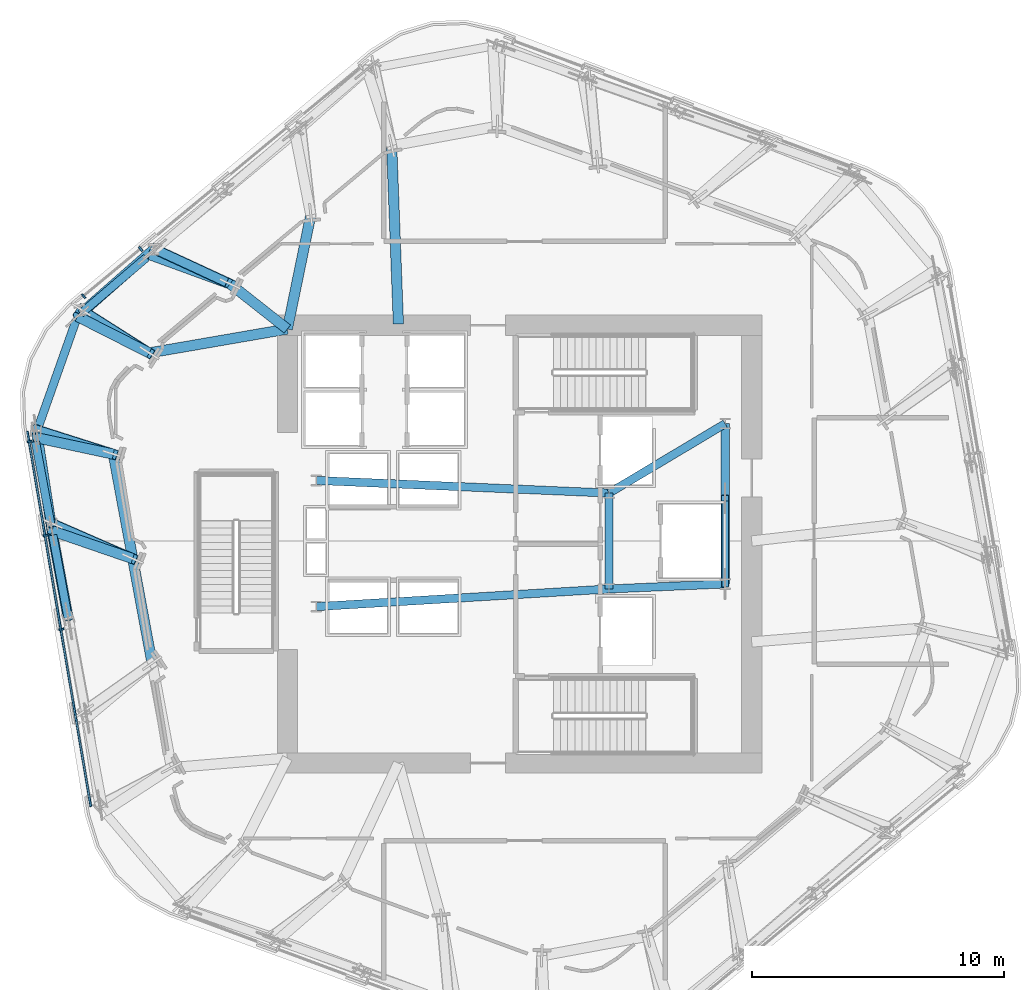
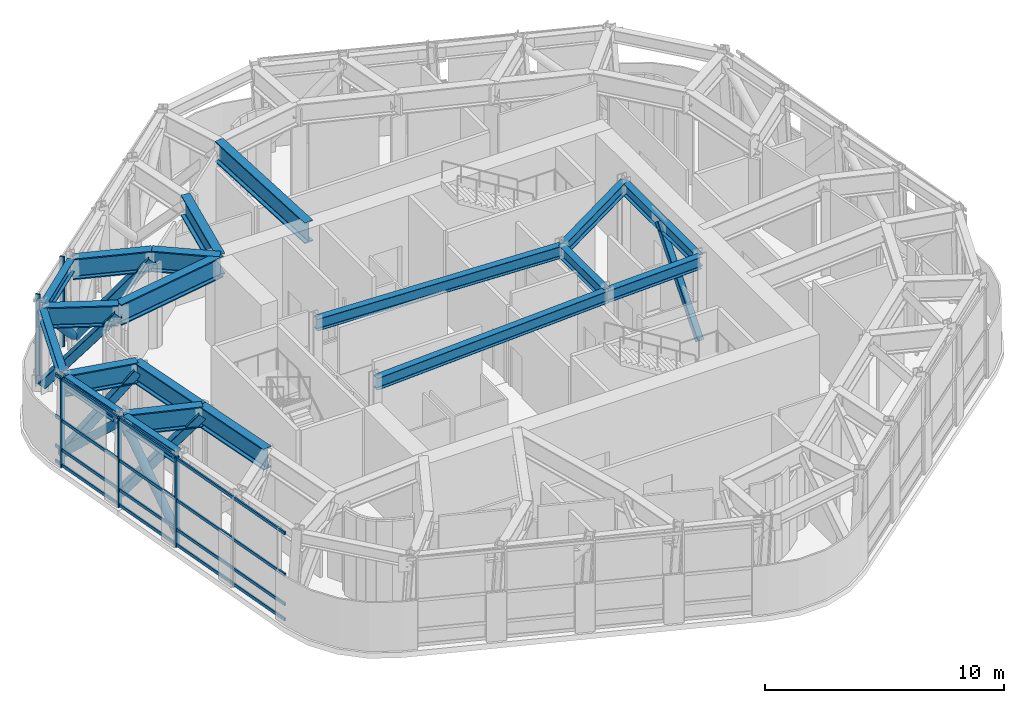
# One storey, part 4 of 16: 20 beams, 17 members, 2 elements without a shape of their own.
"""IFC4 building model written with IfcOpenShell, lengths in metres."""

from ifc_helpers import new_model, si_unit, direction, frame, origin, origin_2d, place, context, subcontext, project, spatial, rectangle, hollow_rectangle, hollow_circle, i_section, extrude, material, layer, layer_set, material_profile, profile_set, type_object, element, aggregate, save


model = new_model("IFC4")

# Units and contexts
model_context = context("Model", 3, precision=1e-05, world=origin(), true_north=direction((0.0, 1.0)))
body_context = subcontext(model_context, "Body", "Model", "MODEL_VIEW")
ifc_project = project(units=[si_unit("LENGTHUNIT", "METRE"), si_unit("AREAUNIT", "SQUARE_METRE"), si_unit("VOLUMEUNIT", "CUBIC_METRE"), si_unit("PLANEANGLEUNIT", "RADIAN"), si_unit("MASSUNIT", "GRAM", prefix="KILO")], contexts=[model_context])

# Site, building, storey
site_placement = place(None, origin())
site = spatial("IfcSite", under=ifc_project, at=site_placement, CompositionType="ELEMENT")
building_placement = place(site_placement, origin())
building = spatial("IfcBuilding", under=site, at=building_placement, Name="Valkerne Bourse Tower", CompositionType="ELEMENT")
storey_placement = place(building_placement, frame((0.0, 0.0, 193.199951171875)))
storey = spatial("IfcBuildingStorey", under=building, at=storey_placement, Name="L49", CompositionType="ELEMENT", Elevation=193.199951171875)

# Beams
ifc_material_1 = material(Name="Steel ASTM A992", Category="steel")
ifc_material_profile_1 = material_profile(ifc_material_1, i_section(OverallWidth=0.3251953125, OverallDepth=0.612060546875, WebThickness=0.0126953125, FlangeThickness=0.01904296875, FilletRadius=0.020263671875, at=origin_2d()), Name="W24X104")
ifc_profile_set_1 = profile_set([ifc_material_profile_1], Name="Steel ASTM A992")
beam_type_1 = type_object("IfcBeamType", Name="BM-W24X104", PredefinedType="BEAM", material=ifc_profile_set_1)
beam_1_placement = place(storey_placement, frame((50.35009765625, 25.10009765625, 4.2939453125), z_axis=(0.0, 1.0, 0.0), x_axis=(-1.0, 0.0, 0.0)))
element("IfcBeam", 1, at=beam_1_placement, inside=storey, type_object=beam_type_1, Name="L49 Core Frame Girder CG-CE", PredefinedType="BEAM", context=body_context, shape_type="SweptSolid", body=[
    extrude(i_section(OverallWidth=0.3251953125, OverallDepth=0.612060546875, WebThickness=0.0126953125, FlangeThickness=0.01904296875, FilletRadius=0.020263671875, at=origin_2d()), origin(), (0.0, 0.0, 1.0), 3.7998046875),
])
beam_2_placement = place(storey_placement, frame((50.35009765625, 25.10009765625, 4.2939453125), z_axis=(0.999056558506, 0.043428019819, 0.0), x_axis=(-0.043428019819, 0.999056558506, 0.0)))
element("IfcBeam", 2, at=beam_2_placement, inside=storey, type_object=beam_type_1, Name="L49 Core Frame Girder CG-SE", PredefinedType="BEAM", context=body_context, shape_type="SweptSolid", body=[
    extrude(i_section(OverallWidth=0.3251953125, OverallDepth=0.612060546875, WebThickness=0.0126953125, FlangeThickness=0.01904296875, FilletRadius=0.020263671875, at=origin_2d()), origin(), (0.0, 0.0, 1.0), 4.604248046875),
])
beam_3_placement = place(storey_placement, frame((50.35009765625, 28.89990234375, 4.2939453125), z_axis=(0.858307823492, 0.513135148019, 0.0), x_axis=(-0.513135148019, 0.858307823492, 0.0)))
element("IfcBeam", 3, at=beam_3_placement, inside=storey, type_object=beam_type_1, Name="L49 Core Frame Girder CG-NE", PredefinedType="BEAM", context=body_context, shape_type="SweptSolid", body=[
    extrude(i_section(OverallWidth=0.3251953125, OverallDepth=0.612060546875, WebThickness=0.0126953125, FlangeThickness=0.01904296875, FilletRadius=0.020263671875, at=origin_2d()), origin(), (0.0, 0.0, 1.0), 5.359130859375),
])
beam_4_placement = place(storey_placement, frame((54.949951171875, 25.300048828125, 4.2939453125), z_axis=(0.0, 1.0, 0.0), x_axis=(-1.0, 0.0, 0.0)))
element("IfcBeam", 4, at=beam_4_placement, inside=storey, type_object=beam_type_1, Name="L49 Core Frame Girder CG-EE", PredefinedType="BEAM", context=body_context, shape_type="SweptSolid", body=[
    extrude(i_section(OverallWidth=0.3251953125, OverallDepth=0.612060546875, WebThickness=0.0126953125, FlangeThickness=0.01904296875, FilletRadius=0.020263671875, at=origin_2d()), origin(), (0.0, 0.0, 1.0), 6.349853515625),
])
beam_5_placement = place(storey_placement, frame((38.75, 24.39990234375, 4.2939453125), z_axis=(0.998183228389, 0.060251494276, 0.0), x_axis=(-0.060251494276, 0.998183228389, 0.0)))
element("IfcBeam", 5, at=beam_5_placement, inside=storey, type_object=beam_type_1, Name="L49 Core Frame Girder CG-SW", PredefinedType="BEAM", context=body_context, shape_type="SweptSolid", body=[
    extrude(i_section(OverallWidth=0.3251953125, OverallDepth=0.612060546875, WebThickness=0.0126953125, FlangeThickness=0.01904296875, FilletRadius=0.020263671875, at=origin_2d()), origin(), (0.0, 0.0, 1.0), 11.62109375),
])
beam_6_placement = place(storey_placement, frame((38.75, 29.39990234375, 4.2939453125), z_axis=(0.999072354402, -0.043063101019, 0.0), x_axis=(0.043063101019, 0.999072354402, 0.0)))
element("IfcBeam", 6, at=beam_6_placement, inside=storey, type_object=beam_type_1, Name="L49 Core Frame Girder CG-NW", PredefinedType="BEAM", context=body_context, shape_type="SweptSolid", body=[
    extrude(i_section(OverallWidth=0.3251953125, OverallDepth=0.612060546875, WebThickness=0.0126953125, FlangeThickness=0.01904296875, FilletRadius=0.020263671875, at=origin_2d()), origin(), (0.0, 0.0, 1.0), 11.61083984375),
])
ifc_material_profile_2 = material_profile(ifc_material_1, i_section(OverallWidth=0.32763671875, OverallDepth=0.62744140625, WebThickness=0.0166015625, FlangeThickness=0.027587890625, FilletRadius=0.020263671875, at=origin_2d()), Name="W24X146")
ifc_profile_set_2 = profile_set([ifc_material_profile_2], Name="Steel ASTM A992")
beam_type_2 = type_object("IfcBeamType", Name="BM-W24X146", PredefinedType="SPANDREL", material=ifc_profile_set_2)
beam_7_placement = place(storey_placement, frame((32.02001953125, 38.23681640625, 4.286376953125), z_axis=(-0.760395641243, -0.649460136405, 0.0), x_axis=(0.649460136405, -0.760395641243, 0.0)))
element("IfcBeam", 7, at=beam_7_placement, inside=storey, type_object=beam_type_2, Name="L49 Hexagonal Spandrel Ring Beam 08", PredefinedType="SPANDREL", context=body_context, shape_type="SweptSolid", body=[
    extrude(i_section(OverallWidth=0.32763671875, OverallDepth=0.62744140625, WebThickness=0.0166015625, FlangeThickness=0.027587890625, FilletRadius=0.020263671875, at=origin_2d()), origin(), (0.0, 0.0, 1.0), 3.430908203125),
])
beam_8_placement = place(storey_placement, frame((29.22509765625, 35.73779296875, 4.286376953125), z_axis=(-0.333803284256, -0.942642757051, 0.0), x_axis=(0.942642757051, -0.333803284256, 0.0)))
element("IfcBeam", 8, at=beam_8_placement, inside=storey, type_object=beam_type_2, Name="L49 Hexagonal Spandrel Ring Beam 09", PredefinedType="SPANDREL", context=body_context, shape_type="SweptSolid", body=[
    extrude(i_section(OverallWidth=0.32763671875, OverallDepth=0.62744140625, WebThickness=0.0166015625, FlangeThickness=0.027587890625, FilletRadius=0.020263671875, at=origin_2d()), origin(), (0.0, 0.0, 1.0), 4.740234375),
])
for number, where, z_axis, x_axis, name in (
    (9, (27.6171875, 30.942138671875, 4.286376953125), (0.182234498882, -0.983255097834, 0.0), (0.983255097834, 0.182234498882, 0.0), "L49 Hexagonal Spandrel Ring Beam 10"),
    (10, (28.304443359375, 27.234375, 4.286376953125), (0.182234498882, -0.983255097834, 0.0), (0.983255097834, 0.182234498882, 0.0), "L49 Hexagonal Spandrel Ring Beam 11"),
):
    element("IfcBeam", number, at=place(storey_placement, frame(where, z_axis=z_axis, x_axis=x_axis)), inside=storey, type_object=beam_type_2, Name=name, PredefinedType="SPANDREL", context=body_context, shape_type="SweptSolid", body=[
        extrude(i_section(OverallWidth=0.32763671875, OverallDepth=0.62744140625, WebThickness=0.0166015625, FlangeThickness=0.027587890625, FilletRadius=0.020263671875, at=origin_2d()), origin(), (0.0, 0.0, 1.0), 3.430908203125),
    ])
ifc_material_2 = material(Name="Steel ASTM A913 Grade 65", Category="steel")
ifc_material_profile_3 = material_profile(ifc_material_2, i_section(OverallWidth=0.408935546875, OverallDepth=1.06689453125, WebThickness=0.031005859375, FlangeThickness=0.055908203125, FilletRadius=0.030517578125, at=origin_2d()), Name="W40X397")
ifc_profile_set_3 = profile_set([ifc_material_profile_3], Name="Steel ASTM A913 Grade 65")
beam_type_3 = type_object("IfcBeamType", Name="BM-W40X397", PredefinedType="BEAM", material=ifc_profile_set_3)
beam_9_placement = place(storey_placement, frame((41.7333984375, 42.660400390625, 4.066650390625), z_axis=(0.037733749739, -0.999287828471, 0.0), x_axis=(0.999287828471, 0.037733749739, 0.0)))
element("IfcBeam", 11, at=beam_9_placement, inside=storey, type_object=beam_type_3, Name="L49 Radial Setback Transfer Girder In 04", PredefinedType="BEAM", context=body_context, shape_type="SweptSolid", body=[
    extrude(i_section(OverallWidth=0.408935546875, OverallDepth=1.06689453125, WebThickness=0.031005859375, FlangeThickness=0.055908203125, FilletRadius=0.030517578125, at=origin_2d()), origin(), (0.0, 0.0, 1.0), 7.0654296875),
])
beam_10_placement = place(storey_placement, frame((38.530517578125, 39.925048828125, 4.066650390625), z_axis=(-0.201397935054, -0.9795095057, 0.0), x_axis=(0.9795095057, -0.201397935054, 0.0)))
element("IfcBeam", 12, at=beam_10_placement, inside=storey, type_object=beam_type_3, Name="L49 Radial Setback Transfer Girder In 05", PredefinedType="BEAM", context=body_context, shape_type="SweptSolid", body=[
    extrude(i_section(OverallWidth=0.408935546875, OverallDepth=1.06689453125, WebThickness=0.031005859375, FlangeThickness=0.055908203125, FilletRadius=0.030517578125, at=origin_2d()), origin(), (0.0, 0.0, 1.0), 4.619873046875),
])
beam_11_placement = place(storey_placement, frame((32.1494140625, 38.34716796875, 4.066650390625), z_axis=(0.939612070222, -0.342241373146, 0.0), x_axis=(0.342241373146, 0.939612070222, 0.0)))
element("IfcBeam", 13, at=beam_11_placement, inside=storey, type_object=beam_type_3, Name="L49 Radial Setback Transfer Girder Out 06", PredefinedType="BEAM", context=body_context, shape_type="SweptSolid", body=[
    extrude(i_section(OverallWidth=0.408935546875, OverallDepth=1.06689453125, WebThickness=0.031005859375, FlangeThickness=0.055908203125, FilletRadius=0.030517578125, at=origin_2d()), origin(), (0.0, 0.0, 1.0), 3.3828125),
])
beam_12_placement = place(storey_placement, frame((35.327880859375, 37.189453125, 4.066650390625), z_axis=(0.785606055002, -0.618727020862, 0.0), x_axis=(0.618727020862, 0.785606055002, 0.0)))
element("IfcBeam", 14, at=beam_12_placement, inside=storey, type_object=beam_type_3, Name="L49 Radial Setback Transfer Girder In 06", PredefinedType="BEAM", context=body_context, shape_type="SweptSolid", body=[
    extrude(i_section(OverallWidth=0.408935546875, OverallDepth=1.06689453125, WebThickness=0.031005859375, FlangeThickness=0.055908203125, FilletRadius=0.030517578125, at=origin_2d()), origin(), (0.0, 0.0, 1.0), 2.892333984375),
])
beam_13_placement = place(storey_placement, frame((29.281982421875, 35.898193359375, 4.066650390625), z_axis=(0.891576414628, -0.452870287035, 0.0), x_axis=(0.452870287035, 0.891576414628, 0.0)))
element("IfcBeam", 15, at=beam_13_placement, inside=storey, type_object=beam_type_3, Name="L49 Radial Setback Transfer Girder Out 07", PredefinedType="BEAM", context=body_context, shape_type="SweptSolid", body=[
    extrude(i_section(OverallWidth=0.408935546875, OverallDepth=1.06689453125, WebThickness=0.031005859375, FlangeThickness=0.055908203125, FilletRadius=0.030517578125, at=origin_2d()), origin(), (0.0, 0.0, 1.0), 3.188720703125),
])
beam_14_placement = place(storey_placement, frame((32.125, 34.4541015625, 4.066650390625), z_axis=(0.985405265959, 0.170224739157, 0.0), x_axis=(-0.170224739157, 0.985405265959, 0.0)))
element("IfcBeam", 16, at=beam_14_placement, inside=storey, type_object=beam_type_3, Name="L49 Radial Setback Transfer Girder In 07", PredefinedType="BEAM", context=body_context, shape_type="SweptSolid", body=[
    extrude(i_section(OverallWidth=0.408935546875, OverallDepth=1.06689453125, WebThickness=0.031005859375, FlangeThickness=0.055908203125, FilletRadius=0.030517578125, at=origin_2d()), origin(), (0.0, 0.0, 1.0), 5.55615234375),
])
beam_15_placement = place(storey_placement, frame((27.586181640625, 31.109375, 4.066650390625), z_axis=(0.977878540193, -0.209173517993, 0.0), x_axis=(0.209173517993, 0.977878540193, 0.0)))
element("IfcBeam", 17, at=beam_15_placement, inside=storey, type_object=beam_type_3, Name="L49 Radial Setback Transfer Girder Out 08", PredefinedType="BEAM", context=body_context, shape_type="SweptSolid", body=[
    extrude(i_section(OverallWidth=0.408935546875, OverallDepth=1.06689453125, WebThickness=0.031005859375, FlangeThickness=0.055908203125, FilletRadius=0.030517578125, at=origin_2d()), origin(), (0.0, 0.0, 1.0), 3.188720703125),
])
beam_16_placement = place(storey_placement, frame((30.704345703125, 30.4423828125, 4.066650390625), z_axis=(0.182240780933, -0.983253933511, 0.0), x_axis=(0.983253933511, 0.182240780933, 0.0)))
element("IfcBeam", 18, at=beam_16_placement, inside=storey, type_object=beam_type_3, Name="L49 Setback Ring Transfer Girder 08", PredefinedType="BEAM", context=body_context, shape_type="SweptSolid", body=[
    extrude(i_section(OverallWidth=0.408935546875, OverallDepth=1.06689453125, WebThickness=0.031005859375, FlangeThickness=0.055908203125, FilletRadius=0.030517578125, at=origin_2d()), origin(), (0.0, 0.0, 1.0), 4.2119140625),
])
beam_17_placement = place(storey_placement, frame((28.2734375, 27.401611328125, 4.066650390625), z_axis=(0.945586011084, -0.325372241658, 0.0), x_axis=(0.325372241658, 0.945586011084, 0.0)))
element("IfcBeam", 19, at=beam_17_placement, inside=storey, type_object=beam_type_3, Name="L49 Radial Setback Transfer Girder Out 09", PredefinedType="BEAM", context=body_context, shape_type="SweptSolid", body=[
    extrude(i_section(OverallWidth=0.408935546875, OverallDepth=1.06689453125, WebThickness=0.031005859375, FlangeThickness=0.055908203125, FilletRadius=0.030517578125, at=origin_2d()), origin(), (0.0, 0.0, 1.0), 3.382568359375),
])
beam_18_placement = place(storey_placement, frame((31.471923828125, 26.301025390625, 4.066650390625), z_axis=(0.182230394893, -0.98325585845, 0.0), x_axis=(0.98325585845, 0.182230394893, 0.0)))
element("IfcBeam", 20, at=beam_18_placement, inside=storey, type_object=beam_type_3, Name="L49 Setback Ring Transfer Girder 09", PredefinedType="BEAM", context=body_context, shape_type="SweptSolid", body=[
    extrude(i_section(OverallWidth=0.408935546875, OverallDepth=1.06689453125, WebThickness=0.031005859375, FlangeThickness=0.055908203125, FilletRadius=0.030517578125, at=origin_2d()), origin(), (0.0, 0.0, 1.0), 4.212158203125),
])

# Curtain wall, members
ifc_material_3 = material(Name="Aluminium AA 6063-T6", Category="aluminium")
ifc_layer = layer(ifc_material_3, 0.25)
ifc_layer_set = layer_set([ifc_layer], Name="Aluminium AA 6063-T6")
curtain_wall_type = type_object("IfcCurtainWallType", Name="CW-06", PredefinedType="NOTDEFINED", material=ifc_layer_set)
curtain_wall_1_placement = place(storey_placement, origin())
curtain_wall_1 = element("IfcCurtainWall", 21, at=curtain_wall_1_placement, inside=storey, type_object=curtain_wall_type, Name="L49 Hexagonal Stick Curtain Wall Face 2", PredefinedType="NOTDEFINED")
ifc_material_profile_4 = material_profile(ifc_material_3, rectangle(XDim=0.074951171875, YDim=0.199951171875, at=origin_2d()), Name="CWM-75X200")
ifc_profile_set_4 = profile_set([ifc_material_profile_4], Name="Aluminium AA 6063-T6")
member_type_1 = type_object("IfcMemberType", Name="CW-MUL-220X75", PredefinedType="MULLION", material=ifc_profile_set_4)
member_1_placement = place(storey_placement, frame((31.789306640625, 38.570068359375, 0.0), z_axis=(0.0, 0.0, 1.0), x_axis=(-0.770503001355, -0.637436369297, 0.0)))
member_1 = element("IfcMember", 22, at=member_1_placement, type_object=member_type_1, Name="CW-L49-F2 Jamb Mullion 03A", PredefinedType="MULLION", context=body_context, shape_type="SweptSolid", body=[
    extrude(rectangle(XDim=0.074951171875, YDim=0.199951171875, at=origin_2d()), origin(), (0.0, 0.0, 1.0), 4.60009765625),
])
member_2_placement = place(storey_placement, frame((29.53076171875, 36.701904296875, 0.0), z_axis=(0.0, 0.0, 1.0), x_axis=(-0.770503001355, -0.637436369297, 0.0)))
member_2 = element("IfcMember", 23, at=member_2_placement, type_object=member_type_1, Name="CW-L49-F2 Jamb Mullion 03B", PredefinedType="MULLION", context=body_context, shape_type="SweptSolid", body=[
    extrude(rectangle(XDim=0.074951171875, YDim=0.199951171875, at=origin_2d()), origin(), (0.0, 0.0, 1.0), 4.60009765625),
])
aggregate(curtain_wall_1, [member_1, member_2])

curtain_wall_2_placement = place(storey_placement, origin())
curtain_wall_2 = element("IfcCurtainWall", 24, at=curtain_wall_2_placement, inside=storey, type_object=curtain_wall_type, Name="L49 Hexagonal Stick Curtain Wall Face 3", PredefinedType="NOTDEFINED")
member_3_placement = place(storey_placement, frame((27.387939453125, 30.93994140625, 0.0), z_axis=(0.0, 0.0, 1.0), x_axis=(0.166772238259, -0.985995446514, 0.0)))
member_3 = element("IfcMember", 25, at=member_3_placement, type_object=member_type_1, Name="CW-L49-F3 Jamb Mullion 00A", PredefinedType="MULLION", context=body_context, shape_type="SweptSolid", body=[
    extrude(rectangle(XDim=0.074951171875, YDim=0.199951171875, at=origin_2d()), origin(), (0.0, 0.0, 1.0), 4.60009765625),
])
member_4_placement = place(storey_placement, frame((28.016845703125, 27.2216796875, 0.0), z_axis=(0.0, 0.0, 1.0), x_axis=(0.166746457546, -0.985999806742, 0.0)))
member_4 = element("IfcMember", 26, at=member_4_placement, type_object=member_type_1, Name="CW-L49-F3 Jamb Mullion 01A", PredefinedType="MULLION", context=body_context, shape_type="SweptSolid", body=[
    extrude(rectangle(XDim=0.074951171875, YDim=0.199951171875, at=origin_2d()), origin(), (0.0, 0.0, 1.0), 4.60009765625),
])
member_5_placement = place(storey_placement, frame((28.6455078125, 23.50341796875, 0.0), z_axis=(0.0, 0.0, 1.0), x_axis=(0.166772238259, -0.985995446514, 0.0)))
member_5 = element("IfcMember", 27, at=member_5_placement, type_object=member_type_1, Name="CW-L49-F3 Jamb Mullion 02A", PredefinedType="MULLION", context=body_context, shape_type="SweptSolid", body=[
    extrude(rectangle(XDim=0.074951171875, YDim=0.199951171875, at=origin_2d()), origin(), (0.0, 0.0, 1.0), 4.60009765625),
])
ifc_material_profile_5 = material_profile(ifc_material_3, rectangle(XDim=0.074951171875, YDim=0.14990234375, at=origin_2d()), Name="CWT-75X150")
ifc_profile_set_5 = profile_set([ifc_material_profile_5], Name="Aluminium AA 6063-T6")
member_type_2 = type_object("IfcMemberType", Name="CW-TRN-180X65", PredefinedType="USERDEFINED", material=ifc_profile_set_5)
member_6_placement = place(storey_placement, frame((27.298095703125, 31.3505859375, 0.1201171875), z_axis=(0.166773819738, -0.98599517902, 0.0), x_axis=(0.98599517902, 0.166773819738, 0.0)))
member_6 = element("IfcMember", 28, at=member_6_placement, type_object=member_type_2, Name="CW-L49-F3 Continuous Face Transom 1", ObjectType="TRANSOM", PredefinedType="USERDEFINED", context=body_context, shape_type="SweptSolid", body=[
    extrude(rectangle(XDim=0.074951171875, YDim=0.14990234375, at=origin_2d()), origin(), (0.0, 0.0, 1.0), 15.083984375),
])
member_7_placement = place(storey_placement, frame((27.298095703125, 31.3505859375, 0.900146484375), z_axis=(0.166773819738, -0.98599517902, 0.0), x_axis=(0.98599517902, 0.166773819738, 0.0)))
member_7 = element("IfcMember", 29, at=member_7_placement, type_object=member_type_2, Name="CW-L49-F3 Continuous Face Transom 2", ObjectType="TRANSOM", PredefinedType="USERDEFINED", context=body_context, shape_type="SweptSolid", body=[
    extrude(rectangle(XDim=0.074951171875, YDim=0.14990234375, at=origin_2d()), origin(), (0.0, 0.0, 1.0), 15.083984375),
])
member_8_placement = place(storey_placement, frame((27.298095703125, 31.3505859375, 2.400146484375), z_axis=(0.166773819738, -0.98599517902, 0.0), x_axis=(0.98599517902, 0.166773819738, 0.0)))
member_8 = element("IfcMember", 30, at=member_8_placement, type_object=member_type_2, Name="CW-L49-F3 Continuous Face Transom 3", ObjectType="TRANSOM", PredefinedType="USERDEFINED", context=body_context, shape_type="SweptSolid", body=[
    extrude(rectangle(XDim=0.074951171875, YDim=0.14990234375, at=origin_2d()), origin(), (0.0, 0.0, 1.0), 15.083984375),
])
member_9_placement = place(storey_placement, frame((27.298095703125, 31.3505859375, 4.52001953125), z_axis=(0.166773819738, -0.98599517902, 0.0), x_axis=(0.98599517902, 0.166773819738, 0.0)))
member_9 = element("IfcMember", 31, at=member_9_placement, type_object=member_type_2, Name="CW-L49-F3 Continuous Face Transom 4", ObjectType="TRANSOM", PredefinedType="USERDEFINED", context=body_context, shape_type="SweptSolid", body=[
    extrude(rectangle(XDim=0.074951171875, YDim=0.14990234375, at=origin_2d()), origin(), (0.0, 0.0, 1.0), 15.083984375),
])
aggregate(curtain_wall_2, [member_6, member_7, member_8, member_9, member_3, member_4, member_5])

# Members
ifc_material_4 = material(Name="Steel ASTM A500 Grade C", Category="steel")
ifc_material_profile_6 = material_profile(ifc_material_4, hollow_circle(Radius=0.203125, WallThickness=0.01416015625, at=origin_2d()), Name="CHS406X14.2")
ifc_profile_set_6 = profile_set([ifc_material_profile_6], Name="Steel ASTM A500 Grade C")
member_type_3 = type_object("IfcMemberType", Name="MBR-CHS406X14.2", PredefinedType="BRACE", material=ifc_profile_set_6)
member_10_placement = place(storey_placement, frame((32.32958984375, 38.575927734375, 0.35009765625), z_axis=(-0.541567688858, -0.475840295714, 0.693022691807), x_axis=(0.660049779688, -0.751221863589, 0.0)))
element("IfcMember", 32, at=member_10_placement, inside=storey, type_object=member_type_3, Name="L49 Perimeter Belt Truss Diagonal 08", PredefinedType="BRACE", context=body_context, shape_type="SweptSolid", body=[
    extrude(hollow_circle(Radius=0.203125, WallThickness=0.01416015625, at=origin_2d()), origin(), (0.0, 0.0, 1.0), 5.62744140625),
])
member_11_placement = place(storey_placement, frame((27.653076171875, 31.41064453125, 0.35009765625), z_axis=(0.110241506485, -0.712426516331, 0.693033382368), x_axis=(0.98823843417, 0.152920885526, 0.0)))
element("IfcMember", 33, at=member_11_placement, inside=storey, type_object=member_type_3, Name="L49 Perimeter Belt Truss Diagonal 10", PredefinedType="BRACE", context=body_context, shape_type="SweptSolid", body=[
    extrude(hollow_circle(Radius=0.203125, WallThickness=0.01416015625, at=origin_2d()), origin(), (0.0, 0.0, 1.0), 5.627197265625),
])
member_12_placement = place(storey_placement, frame((28.910888671875, 23.974365234375, 0.35009765625), z_axis=(-0.121864214728, 0.655201013538, 0.745560691713), x_axis=(-0.983139127449, -0.182859115385, 0.0)))
element("IfcMember", 34, at=member_12_placement, inside=storey, type_object=member_type_3, Name="L49 Perimeter Belt Truss Diagonal 11", PredefinedType="BRACE", context=body_context, shape_type="SweptSolid", body=[
    extrude(hollow_circle(Radius=0.203125, WallThickness=0.01416015625, at=origin_2d()), origin(), (0.0, 0.0, 1.0), 5.230712890625),
])
ifc_material_profile_7 = material_profile(ifc_material_4, hollow_rectangle(XDim=0.300048828125, YDim=0.300048828125, WallThickness=0.012451171875, OuterFilletRadius=0.02490234375, at=origin_2d()), Name="HSS300X300X12.5")
ifc_profile_set_7 = profile_set([ifc_material_profile_7], Name="Steel ASTM A500 Grade C")
member_type_4 = type_object("IfcMemberType", Name="MBR-HSS300X300X12.5", PredefinedType="STRUT", material=ifc_profile_set_7)
member_13_placement = place(storey_placement, frame((54.949951171875, 25.300048828125, 0.219970703125), z_axis=(0.0, 0.640731828522, 0.76776475819), x_axis=(-1.0, 0.0, 0.0)))
element("IfcMember", 35, at=member_13_placement, inside=storey, type_object=member_type_4, Name="L49 Core Service Pier Lateral Brace", PredefinedType="STRUT", context=body_context, shape_type="SweptSolid", body=[
    extrude(hollow_rectangle(XDim=0.300048828125, YDim=0.300048828125, WallThickness=0.012451171875, OuterFilletRadius=0.02490234375, at=origin_2d()), origin(), (0.0, 0.0, 1.0), 5.306396484375),
])
ifc_material_profile_8 = material_profile(ifc_material_4, hollow_rectangle(XDim=0.39990234375, YDim=0.39990234375, WallThickness=0.01611328125, OuterFilletRadius=0.031982421875, at=origin_2d()), Name="HSS400X400X16")
ifc_profile_set_8 = profile_set([ifc_material_profile_8], Name="Steel ASTM A500 Grade C")
member_type_5 = type_object("IfcMemberType", Name="MBR-HSS400X400X16", PredefinedType="BRACE", material=ifc_profile_set_8)
member_14_placement = place(storey_placement, frame((32.32958984375, 38.575927734375, 0.35009765625), z_axis=(0.602985917479, -0.27883372896, 0.747435438627), x_axis=(0.41971890486, 0.907654141677, 0.0)))
element("IfcMember", 36, at=member_14_placement, inside=storey, type_object=member_type_5, Name="L49 Setback Outrigger Knee Strut 06", PredefinedType="BRACE", context=body_context, shape_type="SweptSolid", body=[
    extrude(hollow_rectangle(XDim=0.39990234375, YDim=0.39990234375, WallThickness=0.01611328125, OuterFilletRadius=0.031982421875, at=origin_2d()), origin(), (0.0, 0.0, 1.0), 4.972412109375),
])
for number, where, z_axis, x_axis, name in (
    (37, (29.423828125, 36.172119140625, 0.35009765625), (0.550678711397, -0.350246392996, 0.75768094935), (0.536673151573, 0.84379021586, 0.0), "L49 Setback Outrigger Knee Strut 07"),
    (38, (27.653076171875, 31.41064453125, 0.35009765625), (0.622053704325, -0.197396782793, 0.757683112573), (0.302466958475, 0.953159870657, 0.0), "L49 Setback Outrigger Knee Strut 08"),
):
    element("IfcMember", number, at=place(storey_placement, frame(where, z_axis=z_axis, x_axis=x_axis)), inside=storey, type_object=member_type_5, Name=name, PredefinedType="BRACE", context=body_context, shape_type="SweptSolid", body=[
        extrude(hollow_rectangle(XDim=0.39990234375, YDim=0.39990234375, WallThickness=0.01611328125, OuterFilletRadius=0.031982421875, at=origin_2d()), origin(), (0.0, 0.0, 1.0), 4.9052734375),
    ])
member_15_placement = place(storey_placement, frame((28.281982421875, 27.6923828125, 0.35009765625), z_axis=(0.626510905173, -0.273265394809, 0.729938428704), x_axis=(0.399795516812, 0.916604355618, 0.0)))
element("IfcMember", 39, at=member_15_placement, inside=storey, type_object=member_type_5, Name="L49 Setback Outrigger Knee Strut 09", PredefinedType="BRACE", context=body_context, shape_type="SweptSolid", body=[
    extrude(hollow_rectangle(XDim=0.39990234375, YDim=0.39990234375, WallThickness=0.01611328125, OuterFilletRadius=0.031982421875, at=origin_2d()), origin(), (0.0, 0.0, 1.0), 5.091552734375),
])

save(model, "model.ifc")
